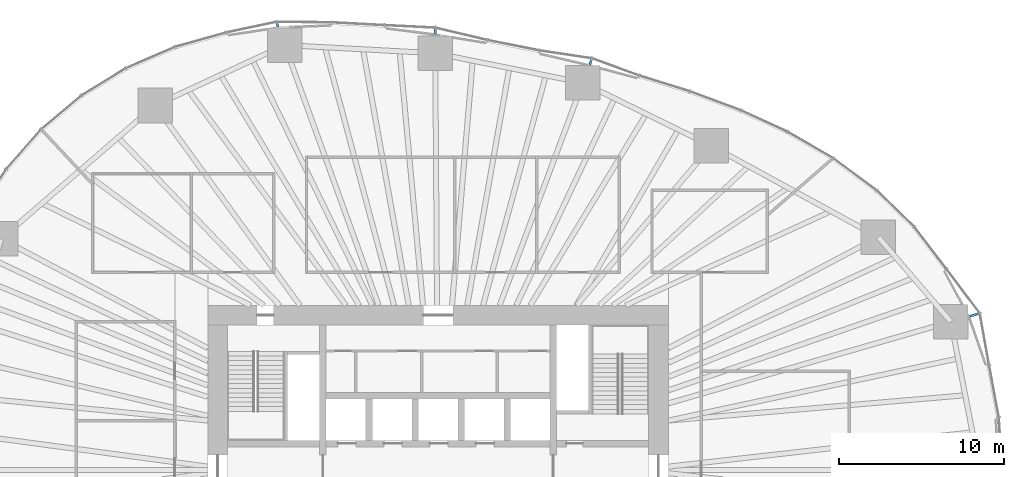
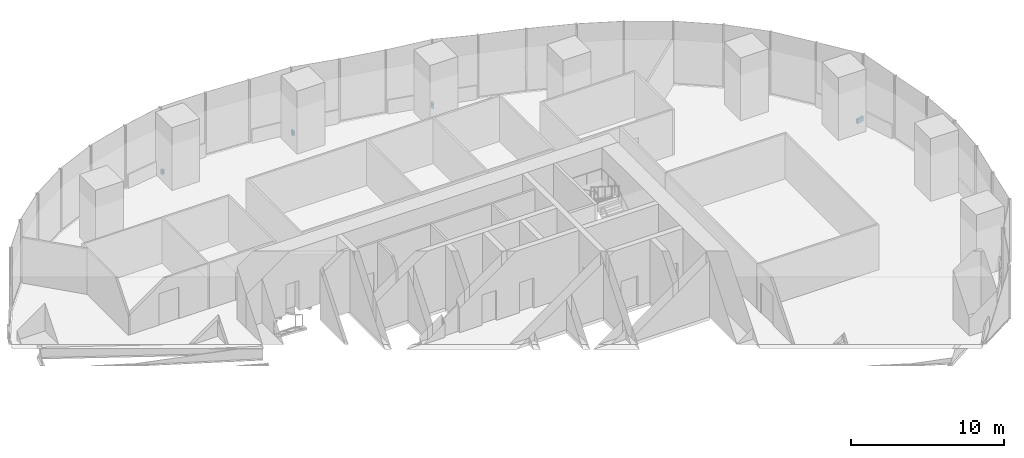
# One storey, part 15 of 20: 4 discrete accessories.
"""IFC4 building model written with IfcOpenShell, lengths in metres."""

import ifcopenshell
import ifcopenshell.guid

model = None  # the IFC model being written
_history = None  # IfcOwnerHistory: only IFC2X3 demands one
_inside = {}  # id of a spatial element -> (the spatial element, [elements in it])
_under = {}  # id of a project, library or spatial element -> (it, [spatial elements below it])
_declared = {}  # id of a project -> (the project, [libraries it declares])
_typed = {}  # id of a type object -> (the type object, [elements of that type])
_made_of = {}  # id of a material, layer set ... -> (it, [elements and type objects made of it])


def new_model(schema):
    """Start an empty IFC model of exactly this schema.

    Asked for "IFC4X3", IfcOpenShell would pick the latest addendum, in which some entities
    have other attributes; the version numbers below select the first issue.
    IFC2X3 requires an IfcOwnerHistory on every rooted entity: one is made here for all.
    """
    global model, _history
    if schema == "IFC4X3":
        model = ifcopenshell.file(schema_version=(4, 3, 0, 0))
    else:
        model = ifcopenshell.file(schema=schema)
    _inside.clear()
    _under.clear()
    _declared.clear()
    _typed.clear()
    _made_of.clear()
    _history = None
    if model.schema == "IFC2X3":
        org = make("IfcOrganization", Name="unknown")
        user = make(
            "IfcPersonAndOrganization",
            ThePerson=make("IfcPerson", FamilyName="unknown"),
            TheOrganization=org,
        )
        app = make(
            "IfcApplication",
            ApplicationDeveloper=org,
            Version="unknown",
            ApplicationFullName="unknown",
            ApplicationIdentifier="unknown",
        )
        _history = make(
            "IfcOwnerHistory",
            OwningUser=user,
            OwningApplication=app,
            ChangeAction="ADDED",
            CreationDate=0,
        )
    return model


def make(cls, **values):
    """One entity of the class cls with the attributes given. An attribute that is None is left unset."""
    return model.create_entity(
        cls, **{name: value for name, value in values.items() if value is not None}
    )


def rooted(cls, **values):
    """An entity with a GlobalId (a new one), such as an element, a storey or a relation."""
    return make(cls, GlobalId=ifcopenshell.guid.new(), OwnerHistory=_history, **values)


def si_unit(unit_type, name, prefix=None):
    """IfcSIUnit, for example si_unit("LENGTHUNIT", "METRE", prefix="MILLI")."""
    return make("IfcSIUnit", UnitType=unit_type, Prefix=prefix, Name=name)


def assignment(units):
    """IfcUnitAssignment: the units of a project."""
    return None if units is None else make("IfcUnitAssignment", Units=units)


def point(xyz):
    """IfcCartesianPoint."""
    return None if xyz is None else make("IfcCartesianPoint", Coordinates=xyz)


def direction(xyz):
    """IfcDirection."""
    return None if xyz is None else make("IfcDirection", DirectionRatios=xyz)


def frame(location, z_axis=None, x_axis=None):
    """IfcAxis2Placement3D, a coordinate frame: its origin and axes. An axis left out is left unset."""
    return make(
        "IfcAxis2Placement3D",
        Location=point(location),
        Axis=direction(z_axis),
        RefDirection=direction(x_axis),
    )


def frame_2d(location, x_axis=None):
    """IfcAxis2Placement2D, a coordinate frame in the plane: its origin and x axis."""
    return make(
        "IfcAxis2Placement2D", Location=point(location), RefDirection=direction(x_axis)
    )


def origin():
    """The frame at (0, 0, 0) with its axes left unset."""
    return frame((0.0, 0.0, 0.0))


def origin_2d():
    """The frame at (0, 0) in the plane with its x axis left unset."""
    return frame_2d((0.0, 0.0))


def place(relative_to, where):
    """IfcLocalPlacement: puts the frame where relative to a parent placement (None: the world)."""
    return make(
        "IfcLocalPlacement", PlacementRelTo=relative_to, RelativePlacement=where
    )


def context(
    kind, dimensions, precision=None, world=None, true_north=None, identifier=None
):
    """IfcGeometricRepresentationContext, for example the 3D "Model" context."""
    return make(
        "IfcGeometricRepresentationContext",
        ContextIdentifier=identifier,
        ContextType=kind,
        CoordinateSpaceDimension=dimensions,
        Precision=precision,
        WorldCoordinateSystem=world,
        TrueNorth=true_north,
    )


def subcontext(parent, identifier, kind, view, scale=None):
    """IfcGeometricRepresentationSubContext, for example "Body" below "Model"."""
    return make(
        "IfcGeometricRepresentationSubContext",
        ContextIdentifier=identifier,
        ContextType=kind,
        ParentContext=parent,
        TargetScale=scale,
        TargetView=view,
    )


def project(units=None, contexts=None):
    """IfcProject with its units and contexts."""
    return rooted(
        "IfcProject",
        Name="project",
        RepresentationContexts=contexts,
        UnitsInContext=assignment(units),
    )


def spatial(cls, under=None, at=None, **own):
    """A site, building, storey or space (cls), placed at a placement, below another one or the project."""
    s = rooted(cls, ObjectPlacement=at, **own)
    if under is not None:
        _under.setdefault(under.id(), (under, []))[1].append(s)
    return s


def profile(cls, at=None, kind="AREA", **sizes):
    """A parametric profile (cls). Its sizes go by their IFC names, for example OverallWidth=200.0."""
    return make(cls, ProfileType=kind, Position=at, **sizes)


def rectangle(**sizes):
    """IfcRectangleProfileDef."""
    return profile("IfcRectangleProfileDef", **sizes)


def extrude(swept, where, along, depth):
    """IfcExtrudedAreaSolid: the profile swept, set in the frame where, extruded along a direction by depth."""
    return make(
        "IfcExtrudedAreaSolid",
        SweptArea=swept,
        Position=where,
        ExtrudedDirection=direction(along),
        Depth=depth,
    )


def shape(context_of_items, identifier, shape_type, items):
    """IfcShapeRepresentation: the items that make up one representation, for example the "Body"."""
    return make(
        "IfcShapeRepresentation",
        ContextOfItems=context_of_items,
        RepresentationIdentifier=identifier,
        RepresentationType=shape_type,
        Items=items,
    )


def material(Name=None, Category=None):
    """IfcMaterial."""
    return make("IfcMaterial", Name=Name, Category=Category)


def made_of(thing, what):
    """Note that an element or type object is made of a material, layer set ...; save() writes the relation."""
    if what is not None:
        _made_of.setdefault(what.id(), (what, []))[1].append(thing)
    return thing


def type_object(cls, material=None, **own):
    """A type object (cls), such as IfcWallType, which elements share."""
    return made_of(rooted(cls, **own), material)


def element(
    cls,
    number,
    at=None,
    inside=None,
    cuts=None,
    type_object=None,
    material=None,
    context=None,
    identifier="Body",
    shape_type=None,
    held_by="IfcProductDefinitionShape",
    body=None,
    shapes=None,
    **own,
):
    """One element of the class cls, such as IfcWall. Its Tag is "e" and its number.

    at: its placement. inside: the storey or other place that contains it. cuts: it is an
    opening in that element (IfcRelVoidsElement). A single representation is given by context,
    identifier, shape_type and body (its items); several are given by shapes. held_by: the class
    of the entity that holds the representations. save() writes the other relations.
    """
    e = rooted(cls, Tag="e%d" % number, ObjectPlacement=at, **own)
    if body is not None:
        shapes = [shape(context, identifier, shape_type, body)]
    if shapes is not None:
        e.Representation = make(held_by, Representations=shapes)
    if inside is not None:
        _inside.setdefault(inside.id(), (inside, []))[1].append(e)
    if cuts is not None:
        rooted(
            "IfcRelVoidsElement", RelatingBuildingElement=cuts, RelatedOpeningElement=e
        )
    if type_object is not None:
        _typed.setdefault(type_object.id(), (type_object, []))[1].append(e)
    return made_of(e, material)


def aggregate(whole, parts):
    """IfcRelAggregates: a whole, such as a stair, and the parts it consists of."""
    return rooted("IfcRelAggregates", RelatingObject=whole, RelatedObjects=parts)


def save(model, path):
    """Write the relations noted so far, then the file.

    IfcRelAggregates (storeys below a building ...), IfcRelContainedInSpatialStructure (elements
    in a storey), IfcRelDefinesByType, IfcRelAssociatesMaterial and IfcRelDeclares: one each for
    every whole, place, type object, material and project.
    """
    for whole, parts in _under.values():
        aggregate(whole, parts)
    for where, things in _inside.values():
        rooted(
            "IfcRelContainedInSpatialStructure",
            RelatedElements=things,
            RelatingStructure=where,
        )
    for kind, things in _typed.values():
        rooted("IfcRelDefinesByType", RelatedObjects=things, RelatingType=kind)
    for what, things in _made_of.values():
        rooted("IfcRelAssociatesMaterial", RelatedObjects=things, RelatingMaterial=what)
    for by, libraries in _declared.values():
        rooted("IfcRelDeclares", RelatingContext=by, RelatedDefinitions=libraries)
    model.write(path)


model = new_model("IFC4")

# Units and contexts
model_context = context("Model", 3, precision=1e-05, world=origin(), true_north=direction((0.0, 1.0)))
body_context = subcontext(model_context, "Body", "Model", "MODEL_VIEW")
ifc_project = project(units=[si_unit("LENGTHUNIT", "METRE"), si_unit("AREAUNIT", "SQUARE_METRE"), si_unit("VOLUMEUNIT", "CUBIC_METRE"), si_unit("PLANEANGLEUNIT", "RADIAN"), si_unit("MASSUNIT", "GRAM", prefix="KILO")], contexts=[model_context])

# Site, building, storey
site_placement = place(None, origin())
site = spatial("IfcSite", under=ifc_project, at=site_placement, CompositionType="ELEMENT")
building_placement = place(site_placement, origin())
building = spatial("IfcBuilding", under=site, at=building_placement, Name="Ghaith Harvest Tower", CompositionType="ELEMENT")
storey_placement = place(building_placement, frame((0.0, 0.0, 50.0)))
storey = spatial("IfcBuildingStorey", under=building, at=storey_placement, Name="L10", CompositionType="ELEMENT", Elevation=50.0)

# Discrete accessories
ifc_material_1 = material(Name="Stainless steel grade 1.4401", Category="steel")
discrete_accessory_type_1 = type_object("IfcDiscreteAccessoryType", Name="CURTAIN WALL BRACKET 205", PredefinedType="BRACKET", material=ifc_material_1)
discrete_accessory_1_placement = place(storey_placement, frame((-9.766845703125, 27.04150390625, -0.25), z_axis=(0.0, 0.0, 1.0), x_axis=(-0.339699453402, 0.94053404051, 0.0)))
element("IfcDiscreteAccessory", 1, at=discrete_accessory_1_placement, inside=storey, type_object=discrete_accessory_type_1, Name="CW-F bracket 1 bay 07 L10", PredefinedType="BRACKET", context=body_context, shape_type="SweptSolid", body=[
    extrude(rectangle(XDim=0.205078125, YDim=0.14990234375, at=origin_2d()), origin(), (0.0, 0.0, 1.0), 0.35009765625),
])
ifc_material_2 = material(Name="Stainless steel grade 1.4401", Category="steel")
discrete_accessory_type_2 = type_object("IfcDiscreteAccessoryType", Name="CURTAIN WALL BRACKET 255", PredefinedType="BRACKET", material=ifc_material_2)
discrete_accessory_2_placement = place(storey_placement, frame((-0.182373046875, 26.649658203125, -0.25), z_axis=(0.0, 0.0, 1.0), x_axis=(-0.006843747783, 0.999976581284, 0.0)))
element("IfcDiscreteAccessory", 2, at=discrete_accessory_2_placement, inside=storey, type_object=discrete_accessory_type_2, Name="CW-F bracket 1 bay 06 L10", PredefinedType="BRACKET", context=body_context, shape_type="SweptSolid", body=[
    extrude(rectangle(XDim=0.2548828125, YDim=0.14990234375, at=origin_2d()), origin(), (0.0, 0.0, 1.0), 0.35009765625),
])
ifc_material_3 = material(Name="Stainless steel grade 1.4401", Category="steel")
discrete_accessory_type_3 = type_object("IfcDiscreteAccessoryType", Name="CURTAIN WALL BRACKET 295", PredefinedType="BRACKET", material=ifc_material_3)
discrete_accessory_3_placement = place(storey_placement, frame((9.265380859375, 24.7841796875, -0.25), z_axis=(0.0, 0.0, 1.0), x_axis=(0.35016769709, 0.936687025593, 0.0)))
element("IfcDiscreteAccessory", 3, at=discrete_accessory_3_placement, inside=storey, type_object=discrete_accessory_type_3, Name="CW-F bracket 1 bay 05 L10", PredefinedType="BRACKET", context=body_context, shape_type="SweptSolid", body=[
    extrude(rectangle(XDim=0.294921875, YDim=0.14990234375, at=origin_2d()), origin(), (0.0, 0.0, 1.0), 0.35009765625),
])
ifc_material_4 = material(Name="Stainless steel grade 1.4401", Category="steel")
discrete_accessory_type_4 = type_object("IfcDiscreteAccessoryType", Name="CURTAIN WALL BRACKET 535", PredefinedType="BRACKET", material=ifc_material_4)
discrete_accessory_4_placement = place(storey_placement, frame((32.570556640625, 9.41357421875, -0.25), z_axis=(0.0, 0.0, 1.0), x_axis=(0.960680349985, 0.277656739792, 0.0)))
element("IfcDiscreteAccessory", 4, at=discrete_accessory_4_placement, inside=storey, type_object=discrete_accessory_type_4, Name="CW-F bracket 1 bay 02 L10", PredefinedType="BRACKET", context=body_context, shape_type="SweptSolid", body=[
    extrude(rectangle(XDim=0.534912109375, YDim=0.14990234375, at=origin_2d()), origin(), (0.0, 0.0, 1.0), 0.35009765625),
])

save(model, "model.ifc")
